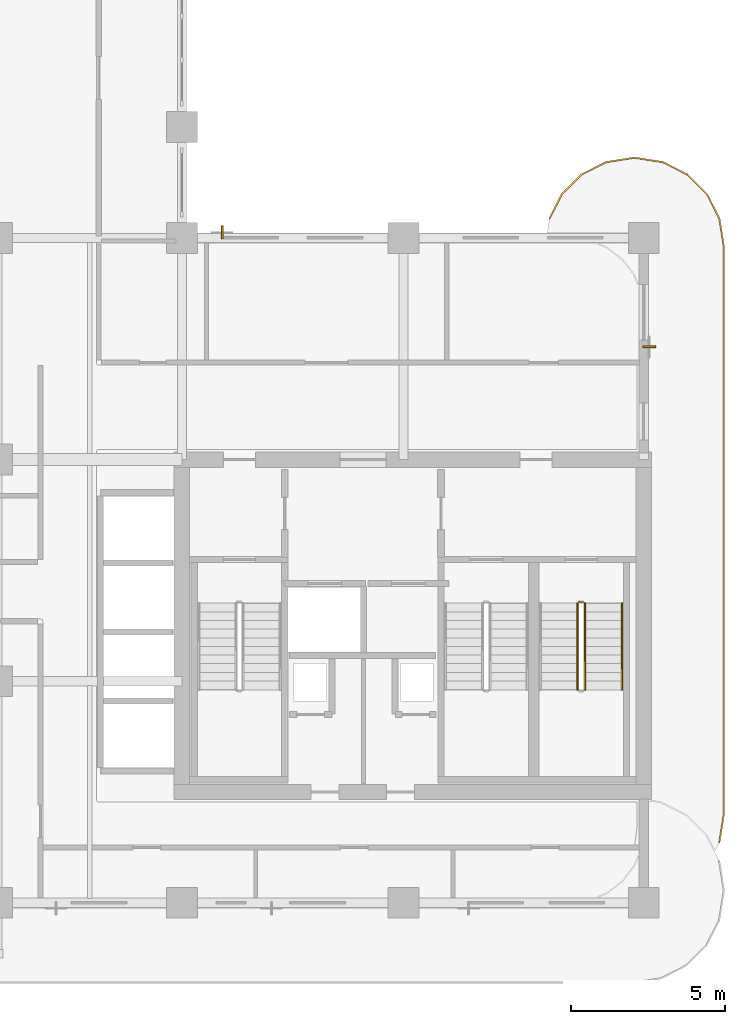
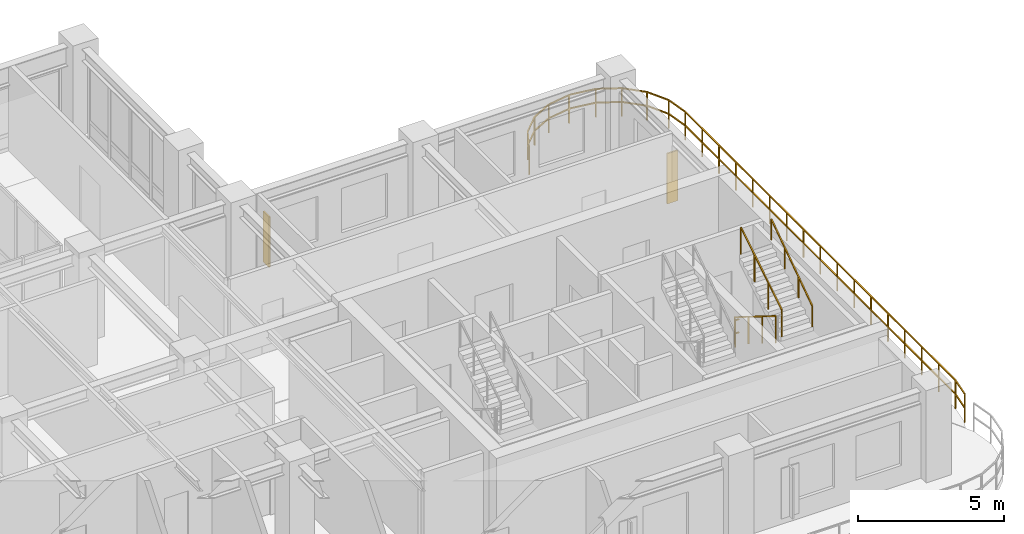
# One storey, part 20 of 21: 5 railings, 2 shading devices.
"""IFC4 building model written with IfcOpenShell, lengths in metres."""

from ifc_helpers import new_model, si_unit, derived_unit, direction, frame, origin, origin_2d, place, context, subcontext, project, spatial, rectangle, extrude, source, transform, mapped, material, layer, layer_set, type_object, type_shapes, element, save


model = new_model("IFC4")

# Units and contexts
model_context = context("Model", 3, precision=1e-05, world=origin(), true_north=direction((0.0, 1.0)))
body_context = subcontext(model_context, "Body", "Model", "MODEL_VIEW")
ifc_project = project(units=[si_unit("LENGTHUNIT", "METRE"), si_unit("AREAUNIT", "SQUARE_METRE"), si_unit("VOLUMEUNIT", "CUBIC_METRE"), si_unit("PLANEANGLEUNIT", "RADIAN"), si_unit("MASSUNIT", "GRAM", prefix="KILO"), si_unit("THERMODYNAMICTEMPERATUREUNIT", "KELVIN"), si_unit("POWERUNIT", "WATT"), derived_unit("THERMALTRANSMITTANCEUNIT", [(si_unit("POWERUNIT", "WATT"), 1), (si_unit("AREAUNIT", "SQUARE_METRE"), -1), (si_unit("THERMODYNAMICTEMPERATUREUNIT", "KELVIN"), -1)])], contexts=[model_context])

# Site, building, storey
site_placement = place(None, origin())
site = spatial("IfcSite", under=ifc_project, at=site_placement, CompositionType="ELEMENT")
building_placement = place(site_placement, origin())
building = spatial("IfcBuilding", under=site, at=building_placement, Name="Zahravan Archway Hotel and Residences", CompositionType="ELEMENT")
storey_placement = place(building_placement, frame((0.0, 0.0, 169.550048828125)))
storey = spatial("IfcBuildingStorey", under=building, at=storey_placement, Name="L42", CompositionType="ELEMENT", Elevation=169.550048828125)

# Railings
ifc_material_1 = material(Name="Bronze & Laminated Glass Balustrade", Category="glass")
railing_type_1 = type_object("IfcRailingType", Name="RL-BAL-1200", PredefinedType="BALUSTRADE", material=ifc_material_1)
railing_1_placement = place(storey_placement, frame((46.739501953125, 22.230712890625, 0.0)))
element("IfcRailing", 1, at=railing_1_placement, inside=storey, type_object=railing_type_1, Name="L42 Balustrade RL-SLB-BAL-L42-EA-1", PredefinedType="BALUSTRADE", context=body_context, shape_type="SweptSolid", body=[
    extrude(rectangle(XDim=0.048095703125, YDim=0.048095703125, at=origin_2d()), frame((0.0, 0.0, 1.17578125), z_axis=(0.453991409995, 0.891006060389, 0.0), x_axis=(-0.891006060389, 0.453991409995, 0.0)), (0.0, 0.0, 1.0), 0.8916015625),
    extrude(rectangle(XDim=0.048095703125, YDim=0.048095703125, at=origin_2d()), frame((0.0, 0.0, 0.60009765625), z_axis=(0.453991409995, 0.891006060389, 0.0), x_axis=(-0.891006060389, 0.453991409995, 0.0)), (0.0, 0.0, 1.0), 0.8916015625),
    extrude(rectangle(XDim=0.048095703125, YDim=0.048095703125, at=origin_2d()), frame((0.40478515625, 0.79443359375, 1.17578125), z_axis=(0.707106781187, 0.707106781187, 0.0), x_axis=(-0.707106781187, 0.707106781187, 0.0)), (0.0, 0.0, 1.0), 0.891845703125),
    extrude(rectangle(XDim=0.048095703125, YDim=0.048095703125, at=origin_2d()), frame((0.40478515625, 0.79443359375, 0.60009765625), z_axis=(0.707106781187, 0.707106781187, 0.0), x_axis=(-0.707106781187, 0.707106781187, 0.0)), (0.0, 0.0, 1.0), 0.891845703125),
    extrude(rectangle(XDim=0.048095703125, YDim=0.048095703125, at=origin_2d()), frame((1.035400390625, 1.425048828125, 1.17578125), z_axis=(0.891006060389, 0.453991409995, 0.0), x_axis=(-0.453991409995, 0.891006060389, 0.0)), (0.0, 0.0, 1.0), 0.8916015625),
    extrude(rectangle(XDim=0.048095703125, YDim=0.048095703125, at=origin_2d()), frame((1.035400390625, 1.425048828125, 0.60009765625), z_axis=(0.891006060389, 0.453991409995, 0.0), x_axis=(-0.453991409995, 0.891006060389, 0.0)), (0.0, 0.0, 1.0), 0.8916015625),
    extrude(rectangle(XDim=0.048095703125, YDim=0.048095703125, at=origin_2d()), frame((1.829833984375, 1.829833984375, 1.17578125), z_axis=(0.987700720307, 0.156356282588, 0.0), x_axis=(-0.156356282588, 0.987700720307, 0.0)), (0.0, 0.0, 1.0), 0.8916015625),
    extrude(rectangle(XDim=0.048095703125, YDim=0.048095703125, at=origin_2d()), frame((1.829833984375, 1.829833984375, 0.60009765625), z_axis=(0.987700720307, 0.156356282588, 0.0), x_axis=(-0.156356282588, 0.987700720307, 0.0)), (0.0, 0.0, 1.0), 0.8916015625),
    extrude(rectangle(XDim=0.048095703125, YDim=0.048095703125, at=origin_2d()), frame((2.71044921875, 1.96923828125, 1.17578125), z_axis=(1.0, 0.0, 0.0), x_axis=(0.0, 1.0, 0.0)), (0.0, 0.0, 1.0), 0.10009765625),
    extrude(rectangle(XDim=0.048095703125, YDim=0.048095703125, at=origin_2d()), frame((2.71044921875, 1.96923828125, 0.60009765625), z_axis=(1.0, 0.0, 0.0), x_axis=(0.0, 1.0, 0.0)), (0.0, 0.0, 1.0), 0.10009765625),
    extrude(rectangle(XDim=0.048095703125, YDim=0.048095703125, at=origin_2d()), frame((2.810546875, 1.96923828125, 1.17578125), z_axis=(0.987700720307, -0.156356282588, 0.0), x_axis=(0.156356282588, 0.987700720307, 0.0)), (0.0, 0.0, 1.0), 0.8916015625),
    extrude(rectangle(XDim=0.048095703125, YDim=0.048095703125, at=origin_2d()), frame((2.810546875, 1.96923828125, 0.60009765625), z_axis=(0.987700720307, -0.156356282588, 0.0), x_axis=(0.156356282588, 0.987700720307, 0.0)), (0.0, 0.0, 1.0), 0.8916015625),
    extrude(rectangle(XDim=0.048095703125, YDim=0.048095703125, at=origin_2d()), frame((3.691162109375, 1.829833984375, 1.17578125), z_axis=(0.891006060389, -0.453991409995, 0.0), x_axis=(0.453991409995, 0.891006060389, 0.0)), (0.0, 0.0, 1.0), 0.8916015625),
    extrude(rectangle(XDim=0.048095703125, YDim=0.048095703125, at=origin_2d()), frame((3.691162109375, 1.829833984375, 0.60009765625), z_axis=(0.891006060389, -0.453991409995, 0.0), x_axis=(0.453991409995, 0.891006060389, 0.0)), (0.0, 0.0, 1.0), 0.8916015625),
    extrude(rectangle(XDim=0.048095703125, YDim=0.048095703125, at=origin_2d()), frame((4.485595703125, 1.425048828125, 1.17578125), z_axis=(0.707106781187, -0.707106781187, 0.0), x_axis=(0.707106781187, 0.707106781187, 0.0)), (0.0, 0.0, 1.0), 0.891845703125),
    extrude(rectangle(XDim=0.048095703125, YDim=0.048095703125, at=origin_2d()), frame((4.485595703125, 1.425048828125, 0.60009765625), z_axis=(0.707106781187, -0.707106781187, 0.0), x_axis=(0.707106781187, 0.707106781187, 0.0)), (0.0, 0.0, 1.0), 0.891845703125),
    extrude(rectangle(XDim=0.048095703125, YDim=0.048095703125, at=origin_2d()), frame((5.1162109375, 0.79443359375, 1.17578125), z_axis=(0.453991409995, -0.891006060389, 0.0), x_axis=(0.891006060389, 0.453991409995, 0.0)), (0.0, 0.0, 1.0), 0.8916015625),
    extrude(rectangle(XDim=0.048095703125, YDim=0.048095703125, at=origin_2d()), frame((5.1162109375, 0.79443359375, 0.60009765625), z_axis=(0.453991409995, -0.891006060389, 0.0), x_axis=(0.891006060389, 0.453991409995, 0.0)), (0.0, 0.0, 1.0), 0.8916015625),
    extrude(rectangle(XDim=0.048095703125, YDim=0.048095703125, at=origin_2d()), frame((5.52099609375, 0.0, 1.17578125), z_axis=(0.156356282588, -0.987700720307, 0.0), x_axis=(0.987700720307, 0.156356282588, 0.0)), (0.0, 0.0, 1.0), 0.8916015625),
    extrude(rectangle(XDim=0.048095703125, YDim=0.048095703125, at=origin_2d()), frame((5.52099609375, 0.0, 0.60009765625), z_axis=(0.156356282588, -0.987700720307, 0.0), x_axis=(0.987700720307, 0.156356282588, 0.0)), (0.0, 0.0, 1.0), 0.8916015625),
    extrude(rectangle(XDim=0.048095703125, YDim=0.048095703125, at=origin_2d()), frame((5.660400390625, -0.880615234375, 1.17578125), z_axis=(0.0, -1.0, 0.0), x_axis=(1.0, 0.0, 0.0)), (0.0, 0.0, 1.0), 18.5),
    extrude(rectangle(XDim=0.048095703125, YDim=0.048095703125, at=origin_2d()), frame((5.660400390625, -0.880615234375, 0.60009765625), z_axis=(0.0, -1.0, 0.0), x_axis=(1.0, 0.0, 0.0)), (0.0, 0.0, 1.0), 18.5),
    extrude(rectangle(XDim=0.048095703125, YDim=0.048095703125, at=origin_2d()), frame((5.660400390625, -19.380615234375, 1.17578125), z_axis=(-0.156314005608, -0.987707411965, 0.0), x_axis=(0.987707411965, -0.156314005608, 0.0)), (0.0, 0.0, 1.0), 0.891845703125),
    extrude(rectangle(XDim=0.048095703125, YDim=0.048095703125, at=origin_2d()), frame((5.660400390625, -19.380615234375, 0.60009765625), z_axis=(-0.156314005608, -0.987707411965, 0.0), x_axis=(0.987707411965, -0.156314005608, 0.0)), (0.0, 0.0, 1.0), 0.891845703125),
    extrude(rectangle(XDim=0.0419921875, YDim=0.0419921875, at=origin_2d()), origin(), (0.0, 0.0, 1.0), 1.15185546875),
    extrude(rectangle(XDim=0.0419921875, YDim=0.0419921875, at=origin_2d()), frame((0.40478515625, 0.79443359375, 0.0)), (0.0, 0.0, 1.0), 1.15185546875),
    extrude(rectangle(XDim=0.0419921875, YDim=0.0419921875, at=origin_2d()), frame((1.035400390625, 1.425048828125, 0.0)), (0.0, 0.0, 1.0), 1.15185546875),
    extrude(rectangle(XDim=0.0419921875, YDim=0.0419921875, at=origin_2d()), frame((1.829833984375, 1.829833984375, 0.0)), (0.0, 0.0, 1.0), 1.15185546875),
    extrude(rectangle(XDim=0.0419921875, YDim=0.0419921875, at=origin_2d()), frame((2.71044921875, 1.96923828125, 0.0)), (0.0, 0.0, 1.0), 1.15185546875),
    extrude(rectangle(XDim=0.0419921875, YDim=0.0419921875, at=origin_2d()), frame((3.691162109375, 1.829833984375, 0.0)), (0.0, 0.0, 1.0), 1.15185546875),
    extrude(rectangle(XDim=0.0419921875, YDim=0.0419921875, at=origin_2d()), frame((4.485595703125, 1.425048828125, 0.0)), (0.0, 0.0, 1.0), 1.15185546875),
    extrude(rectangle(XDim=0.0419921875, YDim=0.0419921875, at=origin_2d()), frame((5.1162109375, 0.79443359375, 0.0)), (0.0, 0.0, 1.0), 1.15185546875),
    extrude(rectangle(XDim=0.0419921875, YDim=0.0419921875, at=origin_2d()), frame((5.52099609375, 0.0, 0.0)), (0.0, 0.0, 1.0), 1.15185546875),
    extrude(rectangle(XDim=0.0419921875, YDim=0.0419921875, at=origin_2d()), frame((5.660400390625, -0.880615234375, 0.0)), (0.0, 0.0, 1.0), 1.15185546875),
    extrude(rectangle(XDim=0.0419921875, YDim=0.0419921875, at=origin_2d()), frame((5.660400390625, -2.036865234375, 0.0)), (0.0, 0.0, 1.0), 1.15185546875),
    extrude(rectangle(XDim=0.0419921875, YDim=0.0419921875, at=origin_2d()), frame((5.660400390625, -3.193115234375, 0.0)), (0.0, 0.0, 1.0), 1.15185546875),
    extrude(rectangle(XDim=0.0419921875, YDim=0.0419921875, at=origin_2d()), frame((5.660400390625, -4.349365234375, 0.0)), (0.0, 0.0, 1.0), 1.15185546875),
    extrude(rectangle(XDim=0.0419921875, YDim=0.0419921875, at=origin_2d()), frame((5.660400390625, -5.505615234375, 0.0)), (0.0, 0.0, 1.0), 1.15185546875),
    extrude(rectangle(XDim=0.0419921875, YDim=0.0419921875, at=origin_2d()), frame((5.660400390625, -6.661865234375, 0.0)), (0.0, 0.0, 1.0), 1.15185546875),
    extrude(rectangle(XDim=0.0419921875, YDim=0.0419921875, at=origin_2d()), frame((5.660400390625, -7.818115234375, 0.0)), (0.0, 0.0, 1.0), 1.15185546875),
    extrude(rectangle(XDim=0.0419921875, YDim=0.0419921875, at=origin_2d()), frame((5.660400390625, -8.974365234375, 0.0)), (0.0, 0.0, 1.0), 1.15185546875),
    extrude(rectangle(XDim=0.0419921875, YDim=0.0419921875, at=origin_2d()), frame((5.660400390625, -10.130615234375, 0.0)), (0.0, 0.0, 1.0), 1.15185546875),
    extrude(rectangle(XDim=0.0419921875, YDim=0.0419921875, at=origin_2d()), frame((5.660400390625, -11.286865234375, 0.0)), (0.0, 0.0, 1.0), 1.15185546875),
    extrude(rectangle(XDim=0.0419921875, YDim=0.0419921875, at=origin_2d()), frame((5.660400390625, -12.443115234375, 0.0)), (0.0, 0.0, 1.0), 1.15185546875),
    extrude(rectangle(XDim=0.0419921875, YDim=0.0419921875, at=origin_2d()), frame((5.660400390625, -13.599365234375, 0.0)), (0.0, 0.0, 1.0), 1.15185546875),
    extrude(rectangle(XDim=0.0419921875, YDim=0.0419921875, at=origin_2d()), frame((5.660400390625, -14.755615234375, 0.0)), (0.0, 0.0, 1.0), 1.15185546875),
    extrude(rectangle(XDim=0.0419921875, YDim=0.0419921875, at=origin_2d()), frame((5.660400390625, -15.911865234375, 0.0)), (0.0, 0.0, 1.0), 1.15185546875),
    extrude(rectangle(XDim=0.0419921875, YDim=0.0419921875, at=origin_2d()), frame((5.660400390625, -17.068115234375, 0.0)), (0.0, 0.0, 1.0), 1.15185546875),
    extrude(rectangle(XDim=0.0419921875, YDim=0.0419921875, at=origin_2d()), frame((5.660400390625, -18.224365234375, 0.0)), (0.0, 0.0, 1.0), 1.15185546875),
    extrude(rectangle(XDim=0.0419921875, YDim=0.0419921875, at=origin_2d()), frame((5.660400390625, -19.380615234375, 0.0)), (0.0, 0.0, 1.0), 1.15185546875),
    extrude(rectangle(XDim=0.0419921875, YDim=0.0419921875, at=origin_2d()), frame((5.52099609375, -20.261474609375, 0.0)), (0.0, 0.0, 1.0), 1.15185546875),
])
ifc_material_2 = material(Name="Painted Tubular Steel", Category="steel")
railing_type_2 = type_object("IfcRailingType", Name="RL-STG-1150", PredefinedType="GUARDRAIL", material=ifc_material_2)
railing_2_placement = place(storey_placement, frame((47.64990234375, 9.72998046875, 0.175048828125)))
element("IfcRailing", 2, at=railing_2_placement, inside=storey, type_object=railing_type_2, Name="L42 ST-A3 stair guard 1", PredefinedType="GUARDRAIL", context=body_context, shape_type="SweptSolid", body=[
    extrude(rectangle(XDim=0.048095703125, YDim=0.048095703125, at=origin_2d()), frame((0.0, 0.0, 1.1259765625), z_axis=(0.0, -0.848002457836, 0.529992293815), x_axis=(1.0, 0.0, 0.0)), (0.0, 0.0, 1.0), 3.302001953125),
    extrude(rectangle(XDim=0.0419921875, YDim=0.0419921875, at=origin_2d()), origin(), (0.0, 0.0, 1.0), 1.101806640625),
    extrude(rectangle(XDim=0.0419921875, YDim=0.0419921875, at=origin_2d()), frame((0.0, -0.933349609375, 0.583251953125)), (0.0, 0.0, 1.0), 1.101806640625),
    extrude(rectangle(XDim=0.0419921875, YDim=0.0419921875, at=origin_2d()), frame((0.0, -1.86669921875, 1.166748046875)), (0.0, 0.0, 1.0), 1.101806640625),
    extrude(rectangle(XDim=0.0419921875, YDim=0.0419921875, at=origin_2d()), frame((0.0, -2.800048828125, 1.75)), (0.0, 0.0, 1.0), 1.101806640625),
])
railing_3_placement = place(storey_placement, frame((47.889892578125, 6.929931640625, 2.099853515625)))
element("IfcRailing", 3, at=railing_3_placement, inside=storey, type_object=railing_type_2, Name="L42 ST-A3 stair guard 3", PredefinedType="GUARDRAIL", context=body_context, shape_type="SweptSolid", body=[
    extrude(rectangle(XDim=0.048095703125, YDim=0.048095703125, at=origin_2d()), frame((0.0, 0.0, 1.1259765625), z_axis=(0.0, 0.848002457836, 0.529992293815), x_axis=(-1.0, 0.0, 0.0)), (0.0, 0.0, 1.0), 3.302001953125),
    extrude(rectangle(XDim=0.0419921875, YDim=0.0419921875, at=origin_2d()), origin(), (0.0, 0.0, 1.0), 1.101806640625),
    extrude(rectangle(XDim=0.0419921875, YDim=0.0419921875, at=origin_2d()), frame((0.0, 0.933349609375, 0.583251953125)), (0.0, 0.0, 1.0), 1.101806640625),
    extrude(rectangle(XDim=0.0419921875, YDim=0.0419921875, at=origin_2d()), frame((0.0, 1.86669921875, 1.166748046875)), (0.0, 0.0, 1.0), 1.101806640625),
    extrude(rectangle(XDim=0.0419921875, YDim=0.0419921875, at=origin_2d()), frame((0.0, 2.800048828125, 1.75)), (0.0, 0.0, 1.0), 1.101806640625),
])
railing_4_placement = place(storey_placement, frame((47.699951171875, 9.780029296875, 0.0)))
element("IfcRailing", 4, at=railing_4_placement, inside=storey, type_object=railing_type_2, Name="L42 ST-A3 stair guard 4", PredefinedType="GUARDRAIL", context=body_context, shape_type="SweptSolid", body=[
    extrude(rectangle(XDim=0.048095703125, YDim=0.048095703125, at=origin_2d()), frame((0.0, 0.0, 1.1259765625), z_axis=(1.0, 0.0, 0.0), x_axis=(0.0, 1.0, 0.0)), (0.0, 0.0, 1.0), 0.14013671875),
    extrude(rectangle(XDim=0.048095703125, YDim=0.048095703125, at=origin_2d()), frame((0.0, 0.0, 0.574951171875), z_axis=(1.0, 0.0, 0.0), x_axis=(0.0, 1.0, 0.0)), (0.0, 0.0, 1.0), 0.14013671875),
    extrude(rectangle(XDim=0.0419921875, YDim=0.0419921875, at=origin_2d()), origin(), (0.0, 0.0, 1.0), 1.101806640625),
])
ifc_material_3 = material(Name="Brushed Stainless Steel", Category="steel")
railing_type_3 = type_object("IfcRailingType", Name="RL-STH-900", PredefinedType="HANDRAIL", material=ifc_material_3)
railing_5_placement = place(storey_placement, frame((49.090087890625, 6.929931640625, 2.099853515625)))
element("IfcRailing", 5, at=railing_5_placement, inside=storey, type_object=railing_type_3, Name="L42 ST-A3 stair handrail 2", PredefinedType="HANDRAIL", context=body_context, shape_type="SweptSolid", body=[
    extrude(rectangle(XDim=0.048095703125, YDim=0.048095703125, at=origin_2d()), frame((0.0, 0.0, 0.8759765625), z_axis=(0.0, 0.824039827795, 0.566531872191), x_axis=(-1.0, 0.0, 0.0)), (0.0, 0.0, 1.0), 3.39794921875),
    extrude(rectangle(XDim=0.0419921875, YDim=0.0419921875, at=origin_2d()), origin(), (0.0, 0.0, 1.0), 0.851806640625),
    extrude(rectangle(XDim=0.0419921875, YDim=0.0419921875, at=origin_2d()), frame((0.0, 0.933349609375, 0.6416015625)), (0.0, 0.0, 1.0), 0.851806640625),
    extrude(rectangle(XDim=0.0419921875, YDim=0.0419921875, at=origin_2d()), frame((0.0, 1.86669921875, 1.283447265625)), (0.0, 0.0, 1.0), 0.851806640625),
    extrude(rectangle(XDim=0.0419921875, YDim=0.0419921875, at=origin_2d()), frame((0.0, 2.800048828125, 1.925048828125)), (0.0, 0.0, 1.0), 0.851806640625),
])

# Shading devices
ifc_material_4 = material(Name="Terracotta & Bronze Solar Brise-Soleil", Category="masonry")
ifc_layer = layer(ifc_material_4, 0.06005859375, Name="Terracotta & Bronze Solar Brise-Soleil", Category="masonry")
ifc_layer_set = layer_set([ifc_layer], Name="Terracotta & Bronze Solar Brise-Soleil")
shading_device_type = type_object("IfcShadingDeviceType", Name="SHD-MASH-FIN", PredefinedType="JALOUSIE", material=ifc_layer_set)
shared_shape = source(origin(), body_context, "Body", "SweptSolid", [
    extrude(rectangle(XDim=0.06005859375, YDim=0.419921875, at=origin_2d()), origin(), (0.0, 0.0, 1.0), 2.10009765625),
])
type_shapes(shading_device_type, [shared_shape])
for number, where, z_axis, x_axis, name in (
    (6, (49.97802734375, 18.05908203125, 0.25), (0.0, 0.0, 1.0), (0.0, 1.0, 0.0), "L42 Solar Mashrabiya Fin 05"),
    (7, (36.10791015625, 21.778076171875, 0.25), (0.0, 0.0, 1.0), (1.0, 0.0, 0.0), "L42 Solar Mashrabiya Fin 06"),
):
    element("IfcShadingDevice", number, at=place(storey_placement, frame(where, z_axis=z_axis, x_axis=x_axis)), inside=storey, type_object=shading_device_type, Name=name, PredefinedType="JALOUSIE", context=body_context, shape_type="MappedRepresentation", body=[
        mapped(shared_shape, transform((0.0, 0.0, 0.0), scale=1.0)),
    ])

save(model, "model.ifc")
